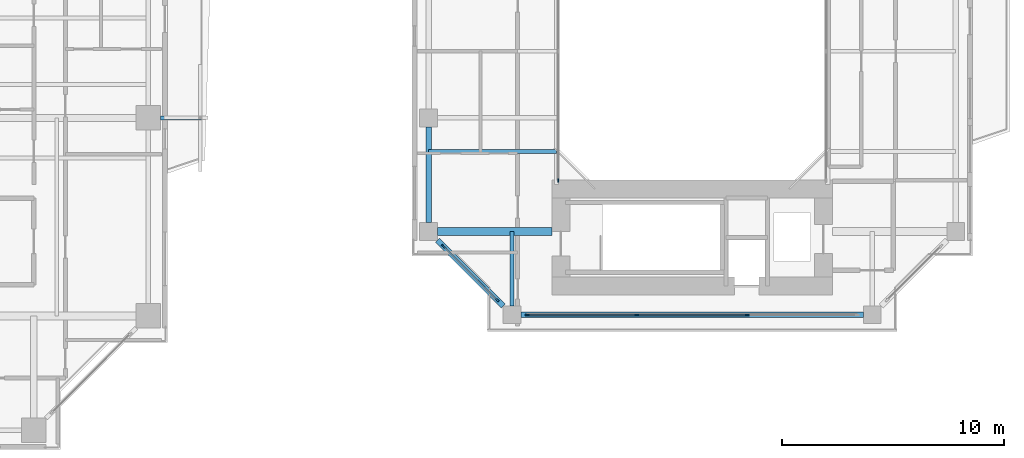
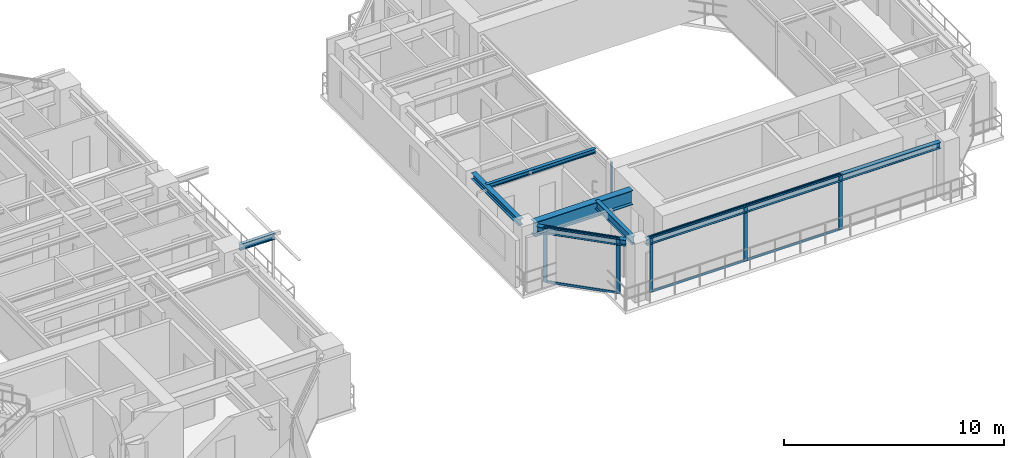
# One storey, part 7 of 24: 12 members, 7 beams, 3 elements without a shape of their own.
"""IFC4 building model written with IfcOpenShell, lengths in metres."""

from ifc_helpers import new_model, si_unit, direction, frame, origin, origin_2d, place, context, subcontext, project, spatial, rectangle, i_section, extrude, source, transform, mapped, material, layer, layer_set, material_profile, profile_set, type_object, element, aggregate, save


model = new_model("IFC4")

# Units and contexts
model_context = context("Model", 3, precision=1e-05, world=origin(), true_north=direction((0.0, 1.0)))
body_context = subcontext(model_context, "Body", "Model", "MODEL_VIEW")
ifc_project = project(units=[si_unit("LENGTHUNIT", "METRE"), si_unit("AREAUNIT", "SQUARE_METRE"), si_unit("VOLUMEUNIT", "CUBIC_METRE"), si_unit("PLANEANGLEUNIT", "RADIAN"), si_unit("MASSUNIT", "GRAM", prefix="KILO"), si_unit("THERMODYNAMICTEMPERATUREUNIT", "KELVIN"), si_unit("POWERUNIT", "WATT")], contexts=[model_context])

# Site, building, storey
site_placement = place(None, origin())
site = spatial("IfcSite", under=ifc_project, at=site_placement, CompositionType="ELEMENT")
building_placement = place(site_placement, origin())
building = spatial("IfcBuilding", under=site, at=building_placement, Name="Qiaomeng Ring Towers", CompositionType="ELEMENT")
storey_placement = place(building_placement, frame((0.0, 0.0, 110.0)))
storey = spatial("IfcBuildingStorey", under=building, at=storey_placement, Name="L31", CompositionType="ELEMENT", Elevation=110.0)

# Beams
ifc_material_1 = material(Name="Steel Q355B", Category="steel")
ifc_material_profile_1 = material_profile(ifc_material_1, i_section(OverallWidth=0.25, OverallDepth=0.340087890625, WebThickness=0.009033203125, FlangeThickness=0.013916015625, FilletRadius=0.02001953125, at=origin_2d()), Name="HM 340x250x9x14")
ifc_profile_set_1 = profile_set([ifc_material_profile_1], Name="Steel Q355B")
beam_type_1 = type_object("IfcBeamType", Name="STR-BM-HM340", PredefinedType="SPANDREL", material=ifc_profile_set_1)
shared_shape_1 = source(origin(), body_context, "Body", "SweptSolid", [
    extrude(i_section(OverallWidth=0.25, OverallDepth=0.340087890625, WebThickness=0.009033203125, FlangeThickness=0.013916015625, FilletRadius=0.02001953125, at=origin_2d()), origin(), (0.0, 0.0, 1.0), 15.40185546875),
])
beam_1_placement = place(storey_placement, frame((52.799072265625, 11.14990234375, 2.89990234375), z_axis=(1.0, 0.0, 0.0), x_axis=(0.0, 1.0, 0.0)))
element("IfcBeam", 1, at=beam_1_placement, inside=storey, type_object=beam_type_1, Name="L31 beam STR-SP-L31-T2-S1-S2", PredefinedType="SPANDREL", context=body_context, shape_type="MappedRepresentation", body=[
    mapped(shared_shape_1, transform((0.0, 0.0, 0.0), x_axis=(1.0, 0.0, 0.0), y_axis=(0.0, 1.0, 0.0), z_axis=(0.0, 0.0, 1.0), scale=1.0)),
])
shared_shape_2 = source(origin(), body_context, "Body", "SweptSolid", [
    extrude(i_section(OverallWidth=0.25, OverallDepth=0.340087890625, WebThickness=0.009033203125, FlangeThickness=0.013916015625, FilletRadius=0.02001953125, at=origin_2d()), origin(), (0.0, 0.0, 1.0), 4.173828125),
])
beam_2_placement = place(storey_placement, frame((49.04931640625, 14.500732421875, 2.89990234375), z_axis=(0.707106781187, -0.707106781187, 0.0), x_axis=(0.707106781187, 0.707106781187, 0.0)))
element("IfcBeam", 2, at=beam_2_placement, inside=storey, type_object=beam_type_1, Name="L31 beam STR-SP-L31-T2-W1-S1", PredefinedType="SPANDREL", context=body_context, shape_type="MappedRepresentation", body=[
    mapped(shared_shape_2, transform((0.0, 0.0, 0.0), x_axis=(1.0, 0.0, 0.0), y_axis=(0.0, 1.0, 0.0), z_axis=(0.0, 0.0, 1.0), scale=1.0)),
])
shared_shape_3 = source(origin(), body_context, "Body", "SweptSolid", [
    extrude(i_section(OverallWidth=0.25, OverallDepth=0.340087890625, WebThickness=0.009033203125, FlangeThickness=0.013916015625, FilletRadius=0.02001953125, at=origin_2d()), origin(), (0.0, 0.0, 1.0), 4.302001953125),
])
beam_3_placement = place(storey_placement, frame((48.64990234375, 19.60107421875, 2.89990234375), z_axis=(0.0, -1.0, 0.0), x_axis=(1.0, 0.0, 0.0)))
element("IfcBeam", 3, at=beam_3_placement, inside=storey, type_object=beam_type_1, Name="L31 beam STR-SP-L31-T2-W2-W1", PredefinedType="SPANDREL", context=body_context, shape_type="MappedRepresentation", body=[
    mapped(shared_shape_3, transform((0.0, 0.0, 0.0), x_axis=(1.0, 0.0, 0.0), y_axis=(0.0, 1.0, 0.0), z_axis=(0.0, 0.0, 1.0), scale=1.0)),
])
ifc_material_2 = material(Name="Steel Q390GJC", Category="steel")
ifc_material_profile_2 = material_profile(ifc_material_2, i_section(OverallWidth=0.35009765625, OverallDepth=0.800048828125, WebThickness=0.01611328125, FlangeThickness=0.028076171875, at=origin_2d()), Name="WH 800x350x16x28")
ifc_profile_set_2 = profile_set([ifc_material_profile_2], Name="Steel Q390GJC")
beam_type_2 = type_object("IfcBeamType", Name="STR-BM-WH800", PredefinedType="BEAM", material=ifc_profile_set_2)
shared_shape_4 = source(origin(), body_context, "Body", "SweptSolid", [
    extrude(i_section(OverallWidth=0.35009765625, OverallDepth=0.800048828125, WebThickness=0.01611328125, FlangeThickness=0.028076171875, at=origin_2d()), origin(), (0.0, 0.0, 1.0), 5.15087890625),
])
beam_4_placement = place(storey_placement, frame((49.049072265625, 14.89990234375, 2.669921875), z_axis=(1.0, 0.0, 0.0), x_axis=(0.0, 1.0, 0.0)))
element("IfcBeam", 4, at=beam_4_placement, inside=storey, type_object=beam_type_2, Name="L31 beam STR-BM-L31-T2-RAD-W1", PredefinedType="BEAM", context=body_context, shape_type="MappedRepresentation", body=[
    mapped(shared_shape_4, transform((0.0, 0.0, 0.0), x_axis=(1.0, 0.0, 0.0), y_axis=(0.0, 1.0, 0.0), z_axis=(0.0, 0.0, 1.0), scale=1.0)),
])
ifc_material_profile_3 = material_profile(ifc_material_1, i_section(OverallWidth=0.199951171875, OverallDepth=0.449951171875, WebThickness=0.009033203125, FlangeThickness=0.013916015625, FilletRadius=0.01806640625, at=origin_2d()), Name="HN 450x200x9x14")
ifc_profile_set_3 = profile_set([ifc_material_profile_3], Name="Steel Q355B")
beam_type_3 = type_object("IfcBeamType", Name="STR-BM-HN450", PredefinedType="SPANDREL", material=ifc_profile_set_3)
shared_shape_5 = source(origin(), body_context, "Body", "SweptSolid", [
    extrude(i_section(OverallWidth=0.199951171875, OverallDepth=0.449951171875, WebThickness=0.009033203125, FlangeThickness=0.013916015625, FilletRadius=0.01806640625, at=origin_2d()), origin(), (0.0, 0.0, 1.0), 3.350830078125),
])
beam_5_placement = place(storey_placement, frame((52.39990234375, 11.549072265625, 2.844970703125), z_axis=(0.0, 1.0, 0.0), x_axis=(-1.0, 0.0, 0.0)))
element("IfcBeam", 5, at=beam_5_placement, inside=storey, type_object=beam_type_3, Name="L31 beam STR-BM-L31-T2-RAD-S1", PredefinedType="SPANDREL", context=body_context, shape_type="MappedRepresentation", body=[
    mapped(shared_shape_5, transform((0.0, 0.0, 0.0), x_axis=(1.0, 0.0, 0.0), y_axis=(0.0, 1.0, 0.0), z_axis=(0.0, 0.0, 1.0), scale=1.0)),
])
ifc_material_profile_4 = material_profile(ifc_material_1, i_section(OverallWidth=0.175048828125, OverallDepth=0.243896484375, WebThickness=0.007080078125, FlangeThickness=0.010986328125, FilletRadius=0.01611328125, at=origin_2d()), Name="HM 244x175x7x11")
ifc_profile_set_4 = profile_set([ifc_material_profile_4], Name="Steel Q355B")
beam_type_4 = type_object("IfcBeamType", Name="STR-BM-HM244", PredefinedType="JOIST", material=ifc_profile_set_4)
shared_shape_6 = source(origin(), body_context, "Body", "SweptSolid", [
    extrude(i_section(OverallWidth=0.175048828125, OverallDepth=0.243896484375, WebThickness=0.007080078125, FlangeThickness=0.010986328125, FilletRadius=0.01611328125, at=origin_2d()), origin(), (0.0, 0.0, 1.0), 5.75),
])
beam_6_placement = place(storey_placement, frame((48.64990234375, 18.5, 2.947998046875), z_axis=(1.0, 0.0, 0.0), x_axis=(0.0, 1.0, 0.0)))
element("IfcBeam", 6, at=beam_6_placement, inside=storey, type_object=beam_type_4, Name="L31 beam STR-JST-L31-T2W-1", PredefinedType="JOIST", context=body_context, shape_type="MappedRepresentation", body=[
    mapped(shared_shape_6, transform((0.0, 0.0, 0.0), x_axis=(1.0, 0.0, 0.0), y_axis=(0.0, 1.0, 0.0), z_axis=(0.0, 0.0, 1.0), scale=1.0)),
])
ifc_material_profile_5 = material_profile(ifc_material_1, i_section(OverallWidth=0.175048828125, OverallDepth=0.35009765625, WebThickness=0.007080078125, FlangeThickness=0.010986328125, FilletRadius=0.013916015625, at=origin_2d()), Name="HN 350x175x7x11")
ifc_profile_set_5 = profile_set([ifc_material_profile_5], Name="Steel Q355B")
beam_type_5 = type_object("IfcBeamType", Name="STR-BM-HN350", PredefinedType="JOIST", material=ifc_profile_set_5)
shared_shape_7 = source(origin(), body_context, "Body", "SweptSolid", [
    extrude(i_section(OverallWidth=0.175048828125, OverallDepth=0.35009765625, WebThickness=0.007080078125, FlangeThickness=0.010986328125, FilletRadius=0.013916015625, at=origin_2d()), origin(), (0.0, 0.0, 1.0), 1.8408203125),
])
beam_7_placement = place(storey_placement, frame((36.59912109375, 20.0, 2.89501953125), z_axis=(1.0, 0.0, 0.0), x_axis=(0.0, 1.0, 0.0)))
element("IfcBeam", 7, at=beam_7_placement, inside=storey, type_object=beam_type_5, Name="L31 beam STR-BALBM-L31-E2", PredefinedType="JOIST", context=body_context, shape_type="MappedRepresentation", body=[
    mapped(shared_shape_7, transform((0.0, 0.0, 0.0), x_axis=(1.0, 0.0, 0.0), y_axis=(0.0, 1.0, 0.0), z_axis=(0.0, 0.0, 1.0), scale=1.0)),
])

# Curtain wall, member
ifc_material_3 = material(Name="Fluorocarbon dark-grey aluminium", Category="aluminium")
ifc_layer_1 = layer(ifc_material_3, 0.139892578125, Name="Fluorocarbon dark-grey aluminium")
ifc_layer_set_1 = layer_set([ifc_layer_1], Name="Fluorocarbon dark-grey aluminium")
curtain_wall_type_1 = type_object("IfcCurtainWallType", Name="ARC-CW-4", PredefinedType="NOTDEFINED", material=ifc_layer_set_1)
curtain_wall_1_placement = place(storey_placement, origin())
curtain_wall_1 = element("IfcCurtainWall", 8, at=curtain_wall_1_placement, inside=storey, type_object=curtain_wall_type_1, Name="L31 Curtain Wall CW4", PredefinedType="NOTDEFINED")
ifc_material_profile_6 = material_profile(ifc_material_3, rectangle(XDim=0.06494140625, YDim=0.159912109375, at=origin_2d()), Name="ALU MULL 65x160")
ifc_profile_set_6 = profile_set([ifc_material_profile_6], Name="Fluorocarbon dark-grey aluminium")
member_type_1 = type_object("IfcMemberType", Name="ARC-CWM-140", PredefinedType="MULLION", material=ifc_profile_set_6)
shared_shape_8 = source(origin(), body_context, "Body", "SweptSolid", [
    extrude(rectangle(XDim=0.06494140625, YDim=0.159912109375, at=origin_2d()), origin(), (0.0, 0.0, 1.0), 3.070068359375),
])
member_1_placement = place(storey_placement, frame((54.47998046875, 17.1826171875, 0.0), z_axis=(0.0, 0.0, 1.0), x_axis=(-1.0, 0.0, 0.0)))
member_1 = element("IfcMember", 9, at=member_1_placement, type_object=member_type_1, Name="CW4 mullion 1", PredefinedType="MULLION", context=body_context, shape_type="MappedRepresentation", body=[
    mapped(shared_shape_8, transform((0.0, 0.0, 0.0), x_axis=(1.0, 0.0, 0.0), y_axis=(0.0, 1.0, 0.0), z_axis=(0.0, 0.0, 1.0), scale=1.0)),
])
aggregate(curtain_wall_1, [member_1])

# Curtain wall, members
ifc_layer_2 = layer(ifc_material_3, 0.14990234375, Name="Fluorocarbon dark-grey aluminium")
ifc_layer_set_2 = layer_set([ifc_layer_2], Name="Fluorocarbon dark-grey aluminium")
curtain_wall_type_2 = type_object("IfcCurtainWallType", Name="ARC-CW-5", PredefinedType="NOTDEFINED", material=ifc_layer_set_2)
curtain_wall_2_placement = place(storey_placement, origin())
curtain_wall_2 = element("IfcCurtainWall", 10, at=curtain_wall_2_placement, inside=storey, type_object=curtain_wall_type_2, Name="L31 Curtain Wall CW5", PredefinedType="NOTDEFINED")
ifc_material_profile_7 = material_profile(ifc_material_3, rectangle(XDim=0.070068359375, YDim=0.179931640625, at=origin_2d()), Name="ALU MULL 70x180")
ifc_profile_set_7 = profile_set([ifc_material_profile_7], Name="Fluorocarbon dark-grey aluminium")
member_type_2 = type_object("IfcMemberType", Name="ARC-CWM-160", PredefinedType="MULLION", material=ifc_profile_set_7)
shared_shape_9 = source(origin(), body_context, "Body", "SweptSolid", [
    extrude(rectangle(XDim=0.070068359375, YDim=0.179931640625, at=origin_2d()), origin(), (0.0, 0.0, 1.0), 3.070068359375),
])
member_2_placement = place(storey_placement, frame((49.314697265625, 14.2353515625, 0.0), z_axis=(0.0, 0.0, 1.0), x_axis=(0.707106781187, 0.707106781187, 0.0)))
member_2 = element("IfcMember", 11, at=member_2_placement, type_object=member_type_2, Name="CW5 mullion 1", PredefinedType="MULLION", context=body_context, shape_type="MappedRepresentation", body=[
    mapped(shared_shape_9, transform((0.0, 0.0, 0.0), x_axis=(1.0, 0.0, 0.0), y_axis=(0.0, 1.0, 0.0), z_axis=(0.0, 0.0, 1.0), scale=1.0)),
])
member_3_placement = place(storey_placement, frame((51.7353515625, 11.814697265625, 0.0), z_axis=(0.0, 0.0, 1.0), x_axis=(0.707106781187, 0.707106781187, 0.0)))
member_3 = element("IfcMember", 12, at=member_3_placement, type_object=member_type_2, Name="CW5 mullion 2", PredefinedType="MULLION", context=body_context, shape_type="MappedRepresentation", body=[
    mapped(shared_shape_9, transform((0.0, 0.0, 0.0), x_axis=(1.0, 0.0, 0.0), y_axis=(0.0, 1.0, 0.0), z_axis=(0.0, 0.0, 1.0), scale=1.0)),
])

curtain_wall_3_placement = place(storey_placement, origin())
curtain_wall_3 = element("IfcCurtainWall", 13, at=curtain_wall_3_placement, inside=storey, type_object=curtain_wall_type_2, Name="L31 Curtain Wall CW5", PredefinedType="NOTDEFINED")
member_4_placement = place(storey_placement, frame((53.074951171875, 11.14990234375, 0.0), z_axis=(0.0, 0.0, 1.0), x_axis=(0.0, 1.0, 0.0)))
member_4 = element("IfcMember", 14, at=member_4_placement, type_object=member_type_2, Name="CW5 mullion 1", PredefinedType="MULLION", context=body_context, shape_type="MappedRepresentation", body=[
    mapped(shared_shape_9, transform((0.0, 0.0, 0.0), x_axis=(1.0, 0.0, 0.0), y_axis=(0.0, 1.0, 0.0), z_axis=(0.0, 0.0, 1.0), scale=1.0)),
])
member_5_placement = place(storey_placement, frame((58.013427734375, 11.14990234375, 0.0), z_axis=(0.0, 0.0, 1.0), x_axis=(0.0, 1.0, 0.0)))
member_5 = element("IfcMember", 15, at=member_5_placement, type_object=member_type_2, Name="CW5 mullion 2", PredefinedType="MULLION", context=body_context, shape_type="MappedRepresentation", body=[
    mapped(shared_shape_9, transform((0.0, 0.0, 0.0), x_axis=(1.0, 0.0, 0.0), y_axis=(0.0, 1.0, 0.0), z_axis=(0.0, 0.0, 1.0), scale=1.0)),
])
member_6_placement = place(storey_placement, frame((62.986572265625, 11.14990234375, 0.0), z_axis=(0.0, 0.0, 1.0), x_axis=(0.0, 1.0, 0.0)))
member_6 = element("IfcMember", 16, at=member_6_placement, type_object=member_type_2, Name="CW5 mullion 3", PredefinedType="MULLION", context=body_context, shape_type="MappedRepresentation", body=[
    mapped(shared_shape_9, transform((0.0, 0.0, 0.0), x_axis=(1.0, 0.0, 0.0), y_axis=(0.0, 1.0, 0.0), z_axis=(0.0, 0.0, 1.0), scale=1.0)),
])
ifc_material_profile_8 = material_profile(ifc_material_3, rectangle(XDim=0.06494140625, YDim=0.1298828125, at=origin_2d()), Name="ALU TRAN 65x130")
ifc_profile_set_8 = profile_set([ifc_material_profile_8], Name="Fluorocarbon dark-grey aluminium")
member_type_3 = type_object("IfcMemberType", Name="ARC-CWT-120", PredefinedType="USERDEFINED", material=ifc_profile_set_8)
shared_shape_10 = source(origin(), body_context, "Body", "SweptSolid", [
    extrude(rectangle(XDim=0.06494140625, YDim=0.1298828125, at=origin_2d()), origin(), (0.0, 0.0, 1.0), 4.8681640625),
])
member_7_placement = place(storey_placement, frame((53.110107421875, 11.14990234375, 0.032470703125), z_axis=(1.0, 0.0, 0.0), x_axis=(0.0, 1.0, 0.0)))
member_7 = element("IfcMember", 17, at=member_7_placement, type_object=member_type_3, Name="CW5 transom 1.1", ObjectType="TRANSOM", PredefinedType="USERDEFINED", context=body_context, shape_type="MappedRepresentation", body=[
    mapped(shared_shape_10, transform((0.0, 0.0, 0.0), x_axis=(1.0, 0.0, 0.0), y_axis=(0.0, 1.0, 0.0), z_axis=(0.0, 0.0, 1.0), scale=1.0)),
])
member_8_placement = place(storey_placement, frame((53.110107421875, 11.14990234375, 3.03759765625), z_axis=(1.0, 0.0, 0.0), x_axis=(0.0, 1.0, 0.0)))
member_8 = element("IfcMember", 18, at=member_8_placement, type_object=member_type_3, Name="CW5 transom 1.2", ObjectType="TRANSOM", PredefinedType="USERDEFINED", context=body_context, shape_type="MappedRepresentation", body=[
    mapped(shared_shape_10, transform((0.0, 0.0, 0.0), x_axis=(1.0, 0.0, 0.0), y_axis=(0.0, 1.0, 0.0), z_axis=(0.0, 0.0, 1.0), scale=1.0)),
])
shared_shape_11 = source(origin(), body_context, "Body", "SweptSolid", [
    extrude(rectangle(XDim=0.06494140625, YDim=0.1298828125, at=origin_2d()), origin(), (0.0, 0.0, 1.0), 4.9033203125),
])
member_9_placement = place(storey_placement, frame((58.04833984375, 11.14990234375, 0.032470703125), z_axis=(1.0, 0.0, 0.0), x_axis=(0.0, 1.0, 0.0)))
member_9 = element("IfcMember", 19, at=member_9_placement, type_object=member_type_3, Name="CW5 transom 2.1", ObjectType="TRANSOM", PredefinedType="USERDEFINED", context=body_context, shape_type="MappedRepresentation", body=[
    mapped(shared_shape_11, transform((0.0, 0.0, 0.0), x_axis=(1.0, 0.0, 0.0), y_axis=(0.0, 1.0, 0.0), z_axis=(0.0, 0.0, 1.0), scale=1.0)),
])
member_10_placement = place(storey_placement, frame((58.04833984375, 11.14990234375, 3.03759765625), z_axis=(1.0, 0.0, 0.0), x_axis=(0.0, 1.0, 0.0)))
member_10 = element("IfcMember", 20, at=member_10_placement, type_object=member_type_3, Name="CW5 transom 2.2", ObjectType="TRANSOM", PredefinedType="USERDEFINED", context=body_context, shape_type="MappedRepresentation", body=[
    mapped(shared_shape_11, transform((0.0, 0.0, 0.0), x_axis=(1.0, 0.0, 0.0), y_axis=(0.0, 1.0, 0.0), z_axis=(0.0, 0.0, 1.0), scale=1.0)),
])
aggregate(curtain_wall_3, [member_4, member_5, member_6, member_7, member_8, member_9, member_10])

# Member
shared_shape_12 = source(origin(), body_context, "Body", "SweptSolid", [
    extrude(rectangle(XDim=0.06494140625, YDim=0.1298828125, at=origin_2d()), origin(), (0.0, 0.0, 1.0), 3.352783203125),
])
member_11_placement = place(storey_placement, frame((49.339599609375, 14.21044921875, 0.032470703125), z_axis=(0.707106781187, -0.707106781187, 0.0), x_axis=(0.707106781187, 0.707106781187, 0.0)))
member_11 = element("IfcMember", 21, at=member_11_placement, type_object=member_type_3, Name="CW5 transom 1.1", ObjectType="TRANSOM", PredefinedType="USERDEFINED", context=body_context, shape_type="MappedRepresentation", body=[
    mapped(shared_shape_12, transform((0.0, 0.0, 0.0), x_axis=(1.0, 0.0, 0.0), y_axis=(0.0, 1.0, 0.0), z_axis=(0.0, 0.0, 1.0), scale=1.0)),
])

member_12_placement = place(storey_placement, frame((49.339599609375, 14.21044921875, 3.03759765625), z_axis=(0.707106781187, -0.707106781187, 0.0), x_axis=(0.707106781187, 0.707106781187, 0.0)))
member_12 = element("IfcMember", 22, at=member_12_placement, type_object=member_type_3, Name="CW5 transom 1.2", ObjectType="TRANSOM", PredefinedType="USERDEFINED", context=body_context, shape_type="MappedRepresentation", body=[
    mapped(shared_shape_12, transform((0.0, 0.0, 0.0), x_axis=(1.0, 0.0, 0.0), y_axis=(0.0, 1.0, 0.0), z_axis=(0.0, 0.0, 1.0), scale=1.0)),
])

aggregate(curtain_wall_2, [member_2, member_3, member_11, member_12])

save(model, "model.ifc")
